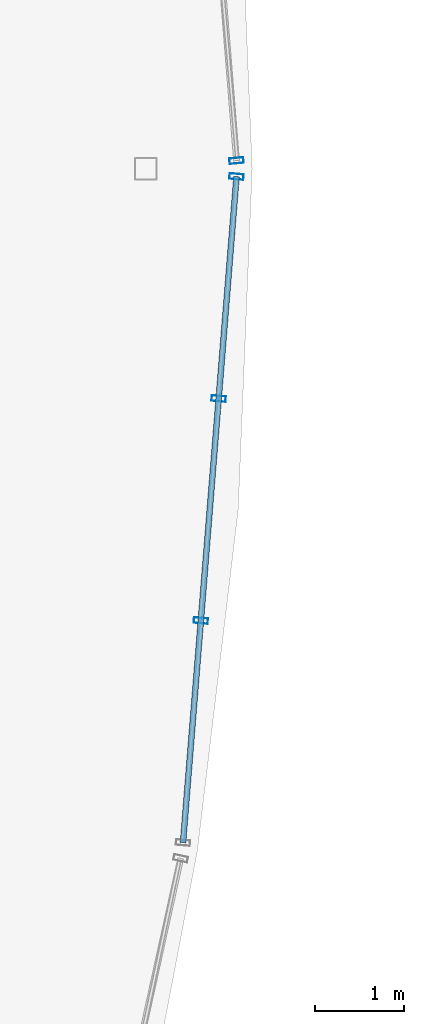
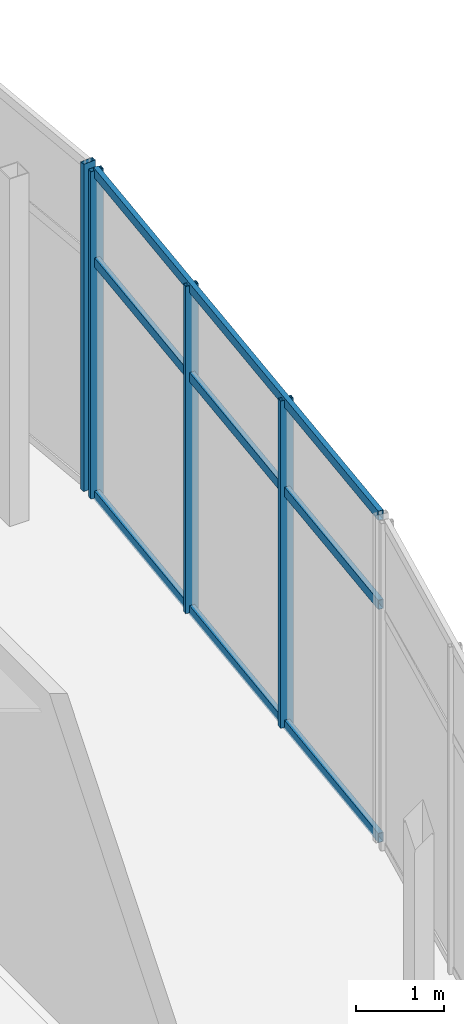
# One storey, part 92 of 157: 7 members, 2 elements without a shape of their own.
"""IFC4 building model written with IfcOpenShell, lengths in metres."""

from ifc_helpers import new_model, si_unit, direction, frame, origin, origin_2d, place, context, subcontext, project, spatial, hollow_rectangle, extrude, material, layer, layer_set, material_profile, profile_set, type_object, element, aggregate, save


model = new_model("IFC4")

# Units and contexts
model_context = context("Model", 3, precision=1e-05, world=origin(), true_north=direction((0.0, 1.0)))
body_context = subcontext(model_context, "Body", "Model", "MODEL_VIEW")
ifc_project = project(units=[si_unit("LENGTHUNIT", "METRE"), si_unit("AREAUNIT", "SQUARE_METRE"), si_unit("VOLUMEUNIT", "CUBIC_METRE"), si_unit("PLANEANGLEUNIT", "RADIAN"), si_unit("MASSUNIT", "GRAM", prefix="KILO")], contexts=[model_context])

# Site, building, storey
site_placement = place(None, origin())
site = spatial("IfcSite", under=ifc_project, at=site_placement, CompositionType="ELEMENT")
building_placement = place(site_placement, origin())
building = spatial("IfcBuilding", under=site, at=building_placement, Name="Chalmorin Arch Market", CompositionType="ELEMENT")
storey_placement = place(building_placement, frame((0.0, 0.0, 4.800048828125)))
storey = spatial("IfcBuildingStorey", under=building, at=storey_placement, Name="L01", CompositionType="ELEMENT", Elevation=4.800048828125)

# Curtain wall, members
ifc_material = material(Name="Aluminium 6063-T6", Category="aluminium")
ifc_layer = layer(ifc_material, 0.159912109375)
ifc_layer_set = layer_set([ifc_layer], Name="Aluminium 6063-T6")
curtain_wall_type = type_object("IfcCurtainWallType", Name="CulinaryStudioCurtainWall-CW3-7510x4520", PredefinedType="NOTDEFINED", material=ifc_layer_set)
curtain_wall_1_placement = place(storey_placement, origin())
curtain_wall_1 = element("IfcCurtainWall", 1, at=curtain_wall_1_placement, inside=storey, type_object=curtain_wall_type, Name="CW-03-183", PredefinedType="NOTDEFINED")
ifc_material_profile_1 = material_profile(ifc_material, hollow_rectangle(XDim=0.06494140625, YDim=0.159912109375, WallThickness=0.00390625, at=origin_2d()), Name="ALU65X160X4")
ifc_profile_set_1 = profile_set([ifc_material_profile_1], Name="Aluminium 6063-T6")
member_type_1 = type_object("IfcMemberType", Name="CurtainWallMullion-65x160", PredefinedType="MULLION", material=ifc_profile_set_1)
member_1_placement = place(storey_placement, frame((119.87158203125, 89.918701171875, 0.0), z_axis=(0.0, 0.0, 1.0), x_axis=(0.087155742748, 0.996194698092, 0.0)))
member_1 = element("IfcMember", 2, at=member_1_placement, type_object=member_type_1, Name="ML-183-02", PredefinedType="MULLION", context=body_context, shape_type="SweptSolid", body=[
    extrude(hollow_rectangle(XDim=0.06494140625, YDim=0.159912109375, WallThickness=0.00390625, at=origin_2d()), origin(), (0.0, 0.0, 1.0), 4.52001953125),
])
member_2_placement = place(storey_placement, frame((120.072265625, 92.414306640625, 0.0), z_axis=(0.0, 0.0, 1.0), x_axis=(0.087155742748, 0.996194698092, 0.0)))
member_2 = element("IfcMember", 3, at=member_2_placement, type_object=member_type_1, Name="ML-183-03", PredefinedType="MULLION", context=body_context, shape_type="SweptSolid", body=[
    extrude(hollow_rectangle(XDim=0.06494140625, YDim=0.159912109375, WallThickness=0.00390625, at=origin_2d()), origin(), (0.0, 0.0, 1.0), 4.52001953125),
])
member_3_placement = place(storey_placement, frame((120.272705078125, 94.910400390625, 0.0), z_axis=(0.0, 0.0, 1.0), x_axis=(0.087155742748, 0.996194698092, 0.0)))
member_3 = element("IfcMember", 4, at=member_3_placement, type_object=member_type_1, Name="ML-183-04", PredefinedType="MULLION", context=body_context, shape_type="SweptSolid", body=[
    extrude(hollow_rectangle(XDim=0.06494140625, YDim=0.159912109375, WallThickness=0.00390625, at=origin_2d()), origin(), (0.0, 0.0, 1.0), 4.52001953125),
])

# Curtain wall, member
curtain_wall_2_placement = place(storey_placement, origin())
curtain_wall_2 = element("IfcCurtainWall", 5, at=curtain_wall_2_placement, inside=storey, type_object=curtain_wall_type, Name="CW-03-185", PredefinedType="NOTDEFINED")
member_4_placement = place(storey_placement, frame((120.272705078125, 95.089599609375, 0.0), z_axis=(0.0, 0.0, 1.0), x_axis=(-0.087155742748, 0.996194698092, 0.0)))
member_4 = element("IfcMember", 6, at=member_4_placement, type_object=member_type_1, Name="ML-185-01", PredefinedType="MULLION", context=body_context, shape_type="SweptSolid", body=[
    extrude(hollow_rectangle(XDim=0.06494140625, YDim=0.159912109375, WallThickness=0.00390625, at=origin_2d()), origin(), (0.0, 0.0, 1.0), 4.52001953125),
])
aggregate(curtain_wall_2, [member_4])

# Member
ifc_material_profile_2 = material_profile(ifc_material, hollow_rectangle(XDim=0.06494140625, YDim=0.1298828125, WallThickness=0.00390625, at=origin_2d()), Name="ALU65X130X4")
ifc_profile_set_2 = profile_set([ifc_material_profile_2], Name="Aluminium 6063-T6")
member_type_2 = type_object("IfcMemberType", Name="CurtainWallTransom-65x130", PredefinedType="USERDEFINED", material=ifc_profile_set_2)
member_5_placement = place(storey_placement, frame((119.671142578125, 87.422607421875, 0.034912109375), z_axis=(0.080081072812, 0.996788353552, 0.0), x_axis=(-0.996788353552, 0.080081072812, 0.0)))
member_5 = element("IfcMember", 7, at=member_5_placement, type_object=member_type_2, Name="TR-183-01", ObjectType="TRANSOM", PredefinedType="USERDEFINED", context=body_context, shape_type="SweptSolid", body=[
    extrude(hollow_rectangle(XDim=0.06494140625, YDim=0.1298828125, WallThickness=0.00390625, at=origin_2d()), origin(), (0.0, 0.0, 1.0), 7.511962890625),
])

member_6_placement = place(storey_placement, frame((119.671142578125, 87.422607421875, 3.25439453125), z_axis=(0.080081072812, 0.996788353552, 0.0), x_axis=(-0.996788353552, 0.080081072812, 0.0)))
member_6 = element("IfcMember", 8, at=member_6_placement, type_object=member_type_2, Name="TR-183-02", ObjectType="TRANSOM", PredefinedType="USERDEFINED", context=body_context, shape_type="SweptSolid", body=[
    extrude(hollow_rectangle(XDim=0.06494140625, YDim=0.1298828125, WallThickness=0.00390625, at=origin_2d()), origin(), (0.0, 0.0, 1.0), 7.511962890625),
])

member_7_placement = place(storey_placement, frame((119.671142578125, 87.422607421875, 4.48486328125), z_axis=(0.080081072812, 0.996788353552, 0.0), x_axis=(-0.996788353552, 0.080081072812, 0.0)))
member_7 = element("IfcMember", 9, at=member_7_placement, type_object=member_type_2, Name="TR-183-03", ObjectType="TRANSOM", PredefinedType="USERDEFINED", context=body_context, shape_type="SweptSolid", body=[
    extrude(hollow_rectangle(XDim=0.06494140625, YDim=0.1298828125, WallThickness=0.00390625, at=origin_2d()), origin(), (0.0, 0.0, 1.0), 7.511962890625),
])

aggregate(curtain_wall_1, [member_1, member_2, member_3, member_5, member_6, member_7])

save(model, "model.ifc")
